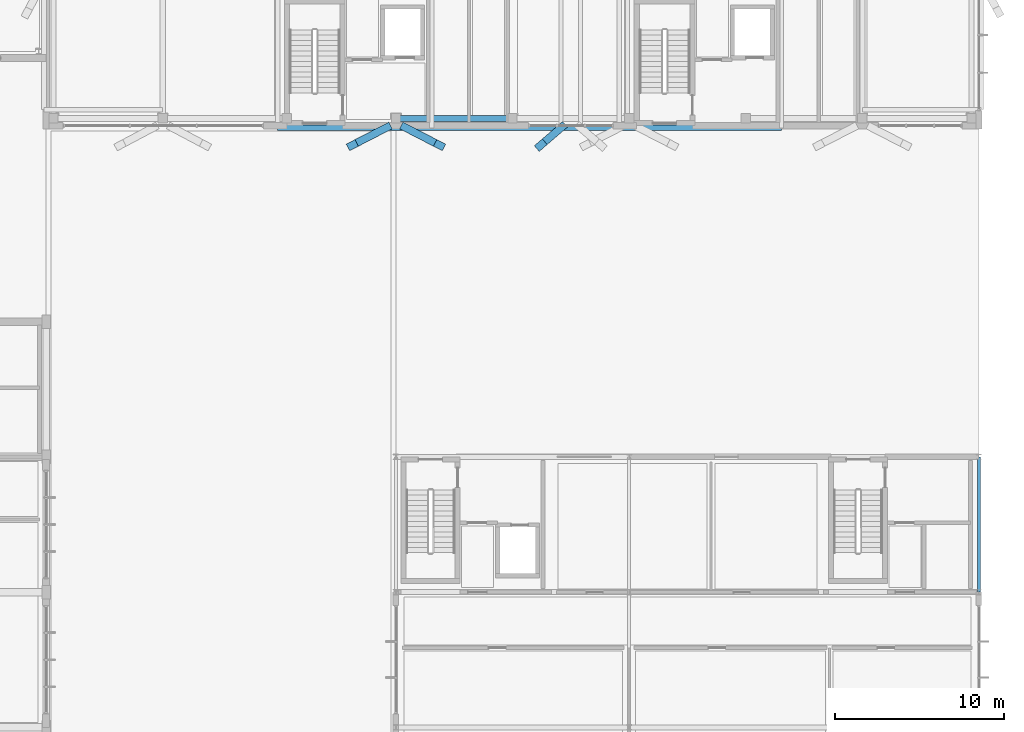
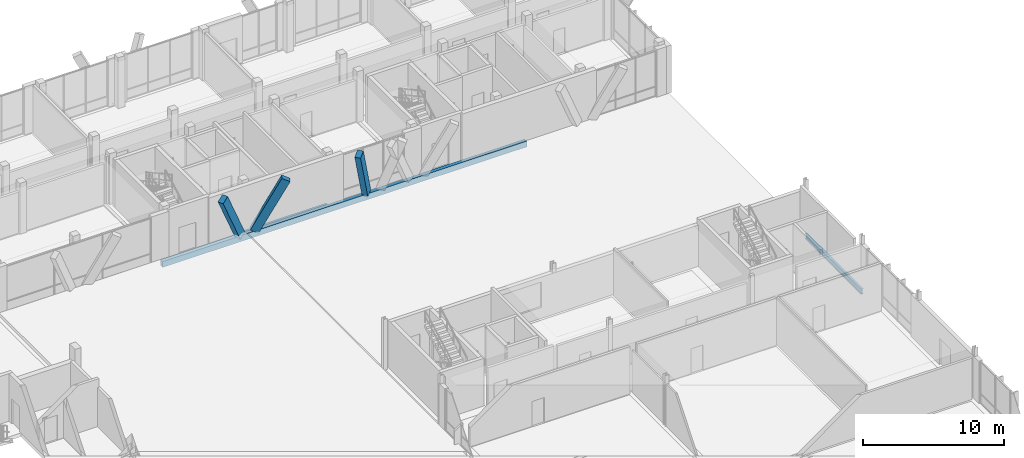
# One storey, part 163 of 233: 3 beams, 3 members.
"""IFC4 building model written with IfcOpenShell, lengths in metres."""

from ifc_helpers import new_model, si_unit, direction, frame, origin, origin_2d, place, context, subcontext, project, spatial, rectangle, i_section, extrude, material, material_profile, profile_set, type_object, element, save


model = new_model("IFC4")

# Units and contexts
model_context = context("Model", 3, precision=1e-05, world=origin(), true_north=direction((0.0, 1.0)))
body_context = subcontext(model_context, "Body", "Model", "MODEL_VIEW")
ifc_project = project(units=[si_unit("LENGTHUNIT", "METRE"), si_unit("AREAUNIT", "SQUARE_METRE"), si_unit("VOLUMEUNIT", "CUBIC_METRE"), si_unit("PLANEANGLEUNIT", "RADIAN"), si_unit("MASSUNIT", "GRAM", prefix="KILO")], contexts=[model_context])

# Site, building, storey
site_placement = place(None, origin())
site = spatial("IfcSite", under=ifc_project, at=site_placement, CompositionType="ELEMENT")
building_placement = place(site_placement, origin())
building = spatial("IfcBuilding", under=site, at=building_placement, Name="Zavelmont Quarter", CompositionType="ELEMENT")
storey_placement = place(building_placement, origin())
storey = spatial("IfcBuildingStorey", under=building, at=storey_placement, Name="L00", CompositionType="ELEMENT", Elevation=0.0)

# Beams
ifc_material_1 = material(Name="Concrete C35/45", Category="concrete")
ifc_material_profile_1 = material_profile(ifc_material_1, rectangle(XDim=0.35009765625, YDim=0.60009765625, at=origin_2d()), Name="RC350X600")
ifc_profile_set_1 = profile_set([ifc_material_profile_1], Name="Concrete C35/45")
beam_type_1 = type_object("IfcBeamType", Name="BM01", PredefinedType="SPANDREL", material=ifc_profile_set_1)
beam_1_placement = place(storey_placement, frame((133.5, 98.0400390625, -0.6201171875), z_axis=(1.0, 0.0, 0.0), x_axis=(0.0, 1.0, 0.0)))
element("IfcBeam", 1, at=beam_1_placement, inside=storey, type_object=beam_type_1, Name="L00 beam BM01 20/P to 21/P", PredefinedType="SPANDREL", context=body_context, shape_type="SweptSolid", body=[
    extrude(rectangle(XDim=0.35009765625, YDim=0.60009765625, at=origin_2d()), origin(), (0.0, 0.0, 1.0), 6.89990234375),
])
ifc_material_profile_2 = material_profile(ifc_material_1, rectangle(XDim=0.300048828125, YDim=0.5, at=origin_2d()), Name="RC300X500")
ifc_profile_set_2 = profile_set([ifc_material_profile_2], Name="Concrete C35/45")
beam_type_2 = type_object("IfcBeamType", Name="BM03", PredefinedType="BEAM", material=ifc_profile_set_2)
beam_2_placement = place(storey_placement, frame((126.5, 97.47998046875, -0.25), z_axis=(1.0, 0.0, 0.0), x_axis=(0.0, 1.0, 0.0)))
element("IfcBeam", 2, at=beam_2_placement, inside=storey, type_object=beam_type_2, Name="L00 beam BM03 19/P to 23/P", PredefinedType="BEAM", context=body_context, shape_type="SweptSolid", body=[
    extrude(rectangle(XDim=0.300048828125, YDim=0.5, at=origin_2d()), origin(), (0.0, 0.0, 1.0), 29.824951171875),
])
ifc_material_2 = material(Name="Steel S355", Category="steel")
ifc_material_profile_3 = material_profile(ifc_material_2, i_section(OverallWidth=0.18994140625, OverallDepth=0.449951171875, WebThickness=0.009521484375, FlangeThickness=0.0146484375, at=origin_2d()), Name="IPE 450")
ifc_profile_set_3 = profile_set([ifc_material_profile_3], Name="Steel S355")
beam_type_3 = type_object("IfcBeamType", Name="BM12", PredefinedType="BEAM", material=ifc_profile_set_3)
beam_3_placement = place(storey_placement, frame((168.0, 70.0, -0.544921875), z_axis=(0.0, 1.0, 0.0), x_axis=(-1.0, 0.0, 0.0)))
element("IfcBeam", 3, at=beam_3_placement, inside=storey, type_object=beam_type_3, Name="L00 beam BM12 25/L to 25/M", PredefinedType="BEAM", context=body_context, shape_type="SweptSolid", body=[
    extrude(i_section(OverallWidth=0.18994140625, OverallDepth=0.449951171875, WebThickness=0.009521484375, FlangeThickness=0.0146484375, at=origin_2d()), origin(), (0.0, 0.0, 1.0), 8.0),
])

# Members
ifc_material_3 = material(Name="White architectural precast concrete C40/50", Category="concrete")
ifc_material_profile_4 = material_profile(ifc_material_3, rectangle(XDim=0.43994140625, YDim=0.659912109375, at=origin_2d()), Name="PCR320X480")
ifc_profile_set_4 = profile_set([ifc_material_profile_4], Name="White architectural precast concrete C40/50")
member_type = type_object("IfcMemberType", Name="VR01M", PredefinedType="CHORD", material=ifc_profile_set_4)
for number, where, z_axis, x_axis, name in (
    (4, (132.919921875, 97.47998046875, 0.0), (-0.405051909514, -0.208404147103, 0.890225062593), (0.457507269594, -0.889205880699, 0.0), "L00 member VR01M 20/P to 20/P"),
    (5, (134.080078125, 97.47998046875, 0.0), (0.405051909514, -0.208404147103, 0.890225062593), (0.457507269594, 0.889205880699, 0.0), "L00 member VR01M 20/P to 20/P"),
):
    element("IfcMember", number, at=place(storey_placement, frame(where, z_axis=z_axis, x_axis=x_axis)), inside=storey, type_object=member_type, Name=name, PredefinedType="CHORD", context=body_context, shape_type="SweptSolid", body=[
        extrude(rectangle(XDim=0.43994140625, YDim=0.659912109375, at=origin_2d()), origin(), (0.0, 0.0, 1.0), 4.9423828125),
    ])
member_placement = place(storey_placement, frame((143.27001953125, 97.47998046875, 0.0), z_axis=(-0.256258170237, -0.220328758962, 0.941162572652), x_axis=(0.651948658655, -0.758263111643, 0.0)))
element("IfcMember", 6, at=member_placement, inside=storey, type_object=member_type, Name="L00 member VR01M 21/P to 21/P", PredefinedType="CHORD", context=body_context, shape_type="SweptSolid", body=[
    extrude(rectangle(XDim=0.43994140625, YDim=0.659912109375, at=origin_2d()), origin(), (0.0, 0.0, 1.0), 4.675048828125),
])

save(model, "model.ifc")
